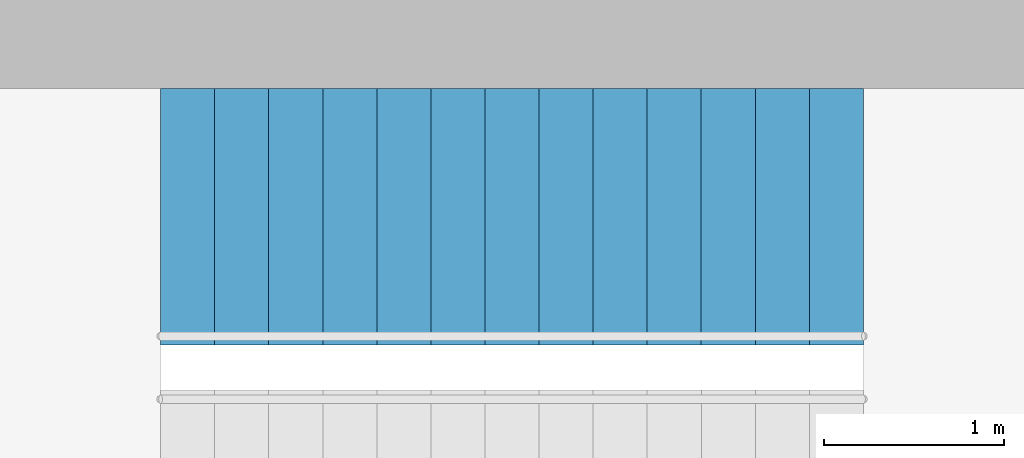
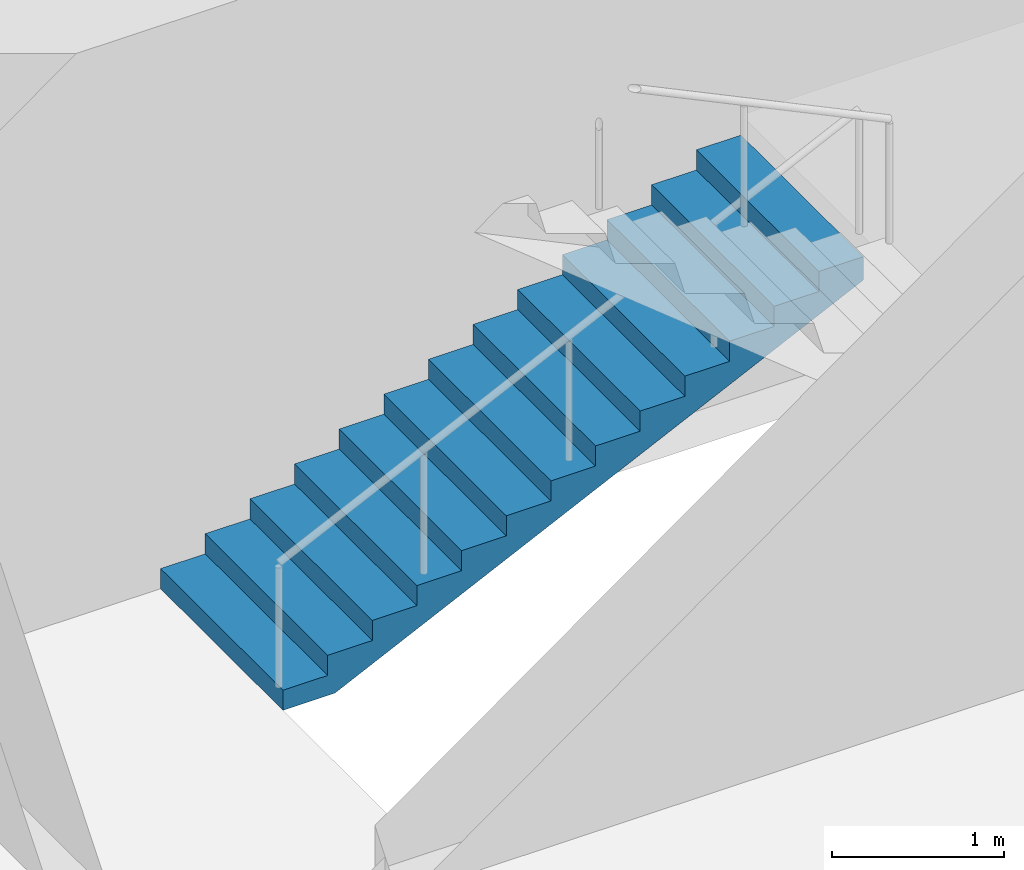
# One storey, part 40 of 41: 1 stair flight, 1 element without a shape of its own.
"""IFC4 building model written with IfcOpenShell, lengths in metres."""

from ifc_helpers import new_model, si_unit, direction, frame, origin, place, context, subcontext, project, spatial, polyline, outline, extrude, material, type_object, element, aggregate, save


model = new_model("IFC4")

# Units and contexts
model_context = context("Model", 3, precision=1e-05, world=origin(), true_north=direction((0.0, 1.0)))
body_context = subcontext(model_context, "Body", "Model", "MODEL_VIEW")
ifc_project = project(units=[si_unit("LENGTHUNIT", "METRE"), si_unit("AREAUNIT", "SQUARE_METRE"), si_unit("VOLUMEUNIT", "CUBIC_METRE"), si_unit("PLANEANGLEUNIT", "RADIAN"), si_unit("MASSUNIT", "GRAM", prefix="KILO")], contexts=[model_context])

# Site, building, storey
site_placement = place(None, origin())
site = spatial("IfcSite", under=ifc_project, at=site_placement, CompositionType="ELEMENT")
building_placement = place(site_placement, origin())
building = spatial("IfcBuilding", under=site, at=building_placement, Name="Zorevar Civic Tower", CompositionType="ELEMENT")
storey_placement = place(building_placement, frame((0.0, 0.0, 89.0)))
storey = spatial("IfcBuildingStorey", under=building, at=storey_placement, Name="L21", CompositionType="ELEMENT", Elevation=89.0)

# Stair, stair flight
ifc_material_1 = material(Name="Precast concrete C40/50", Category="concrete")
stair_type = type_object("IfcStairType", Name="Stair ST 28R", PredefinedType="HALF_TURN_STAIR", material=ifc_material_1)
stair_placement = place(storey_placement, origin())
stair = element("IfcStair", 1, at=stair_placement, inside=storey, type_object=stair_type, Name="Stair ST2 L21", PredefinedType="HALF_TURN_STAIR")
ifc_material_2 = material(Name="Precast concrete C40/50", Category="concrete")
stair_flight_type = type_object("IfcStairFlightType", Name="Stair flight", PredefinedType="STRAIGHT", material=ifc_material_2)
stair_flight_placement = place(storey_placement, frame((37.949951171875, 34.737548828125, 0.0), z_axis=(0.0, 0.0, 1.0), x_axis=(1.0, 0.0, 0.0)))
stair_flight = element("IfcStairFlight", 2, at=stair_flight_placement, type_object=stair_flight_type, Name="ST2 flight 1", NumberOfRisers=14, NumberOfTreads=13, PredefinedType="STRAIGHT", RiserHeight=0.142857143, TreadLength=0.3, context=body_context, shape_type="SweptSolid", body=[
    extrude(outline(polyline([(0.0, 0.0), (0.0, 0.142822265625), (0.300048828125, 0.142822265625), (0.300048828125, 0.28564453125), (0.60009765625, 0.28564453125), (0.60009765625, 0.428466796875), (0.89990234375, 0.428466796875), (0.89990234375, 0.571533203125), (1.199951171875, 0.571533203125), (1.199951171875, 0.71435546875), (1.5, 0.71435546875), (1.5, 0.857177734375), (1.800048828125, 0.857177734375), (1.800048828125, 1.0), (2.10009765625, 1.0), (2.10009765625, 1.142822265625), (2.39990234375, 1.142822265625), (2.39990234375, 1.28564453125), (2.699951171875, 1.28564453125), (2.699951171875, 1.428466796875), (3.0, 1.428466796875), (3.0, 1.571533203125), (3.300048828125, 1.571533203125), (3.300048828125, 1.71435546875), (3.60009765625, 1.71435546875), (3.60009765625, 1.857177734375), (3.89990234375, 1.857177734375), (3.89990234375, 2.0), (3.89990234375, 1.691162109375), (0.3486328125, 0.0), (0.0, 0.0)])), frame((0.0, 0.71240234375, 0.0), z_axis=(0.0, -1.0, 0.0), x_axis=(1.0, 0.0, 0.0)), (0.0, 0.0, 1.0), 1.425048828125),
])
aggregate(stair, [stair_flight])

save(model, "model.ifc")
